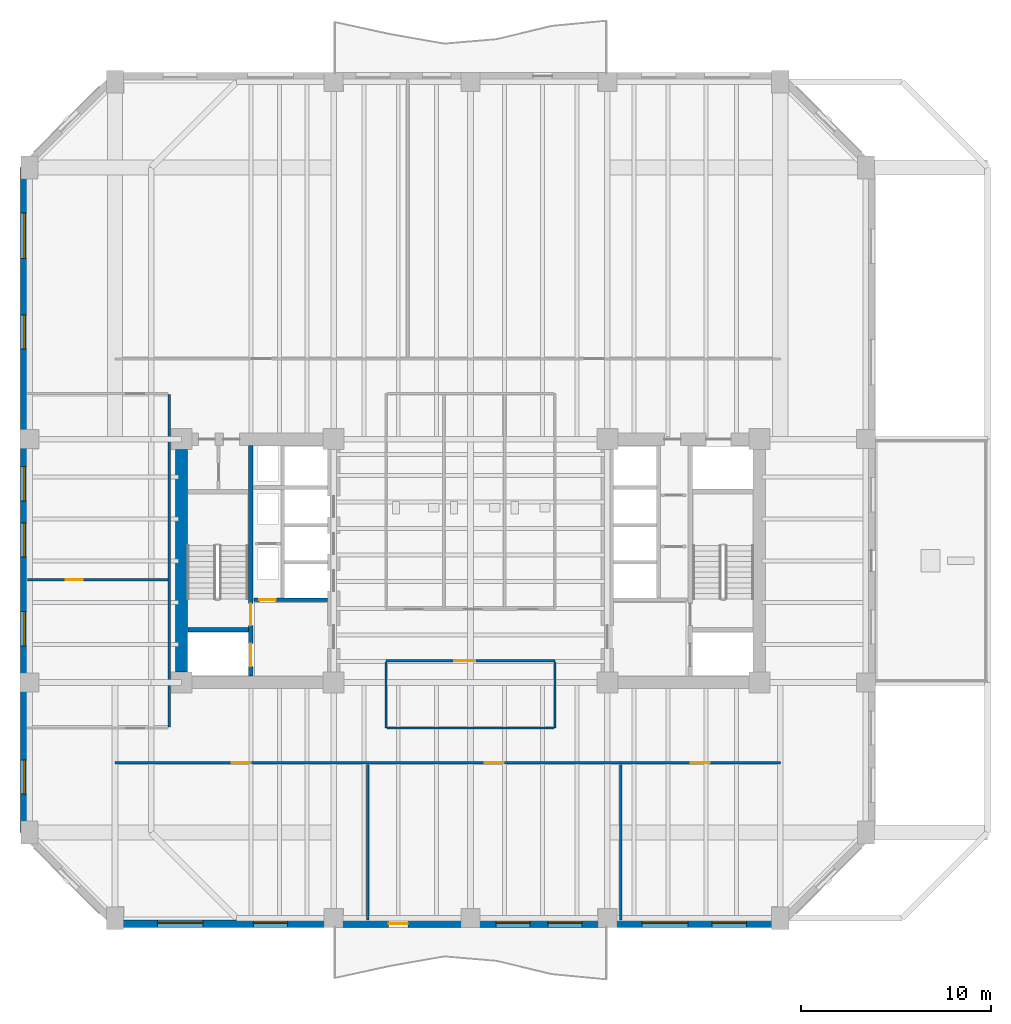
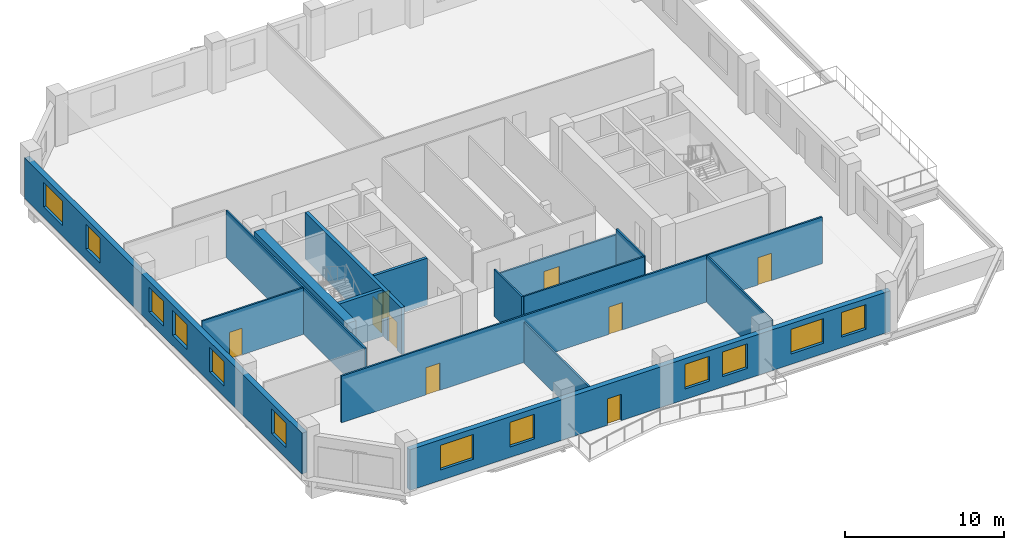
# One storey, part 3 of 11: 15 walls, 12 windows, 9 doors, 21 openings.
"""IFC4 building model written with IfcOpenShell, lengths in metres."""

from ifc_helpers import new_model, si_unit, direction, frame, frame_2d, origin, place, context, subcontext, project, spatial, rectangle, extrude, material, layer, layer_set, type_object, element, fill, save


model = new_model("IFC4")

# Units and contexts
model_context = context("Model", 3, precision=1e-05, world=origin(), true_north=direction((0.0, 1.0)))
body_context = subcontext(model_context, "Body", "Model", "MODEL_VIEW")
ifc_project = project(units=[si_unit("LENGTHUNIT", "METRE"), si_unit("AREAUNIT", "SQUARE_METRE"), si_unit("VOLUMEUNIT", "CUBIC_METRE"), si_unit("PLANEANGLEUNIT", "RADIAN"), si_unit("MASSUNIT", "GRAM", prefix="KILO")], contexts=[model_context])

# Site, building, storey
site_placement = place(None, origin())
site = spatial("IfcSite", under=ifc_project, at=site_placement, CompositionType="ELEMENT")
building_placement = place(site_placement, origin())
building = spatial("IfcBuilding", under=site, at=building_placement, Name="Kranthara Brick Stack", CompositionType="ELEMENT")
storey_placement = place(building_placement, frame((0.0, 0.0, 94.5)))
storey = spatial("IfcBuildingStorey", under=building, at=storey_placement, Name="L23", CompositionType="ELEMENT", Elevation=94.5)

# Wall, openings, door, windows
ifc_material_1 = material(Name="Kiln-fired clay brick masonry M15", Category="masonry")
ifc_layer_1 = layer(ifc_material_1, 0.3798828125)
ifc_layer_set_1 = layer_set([ifc_layer_1], Name="Kiln-fired clay brick masonry M15")
wall_type_1 = type_object("IfcWallType", Name="WL-BRK-PIER-380", PredefinedType="STANDARD", material=ifc_layer_set_1)
wall_1_placement = place(storey_placement, frame((44.300048828125, 8.110107421875, 0.0), z_axis=(0.0, 0.0, 1.0), x_axis=(-1.0, 0.0, 0.0)))
wall_1 = element("IfcWall", 1, at=wall_1_placement, inside=storey, type_object=wall_type_1, Name="L23 Exterior Brick Facade Wall SOUTH 1", PredefinedType="STANDARD", context=body_context, shape_type="SweptSolid", body=[
    extrude(rectangle(XDim=35.0, YDim=0.3798828125, at=frame_2d((17.5, 0.0))), origin(), (0.0, 0.0, 1.0), 3.135009765625),
])
opening_1_placement = place(wall_1_placement, frame((19.60009765625, 0.0, 0.0)))
opening_1 = element("IfcOpeningElement", 2, at=opening_1_placement, cuts=wall_1, Name="Opening D03", PredefinedType="OPENING", context=body_context, shape_type="SweptSolid", body=[
    extrude(rectangle(XDim=1.0, YDim=2.02001953125, at=frame_2d((0.5, 1.010009765625))), frame((0.0, 0.199951171875, 0.0), z_axis=(0.0, -1.0, 0.0), x_axis=(1.0, 0.0, 0.0)), (0.0, 0.0, 1.0), 0.39990234375),
])
opening_2_placement = place(wall_1_placement, frame((1.782958984375, 0.0, 0.800048828125)))
opening_2 = element("IfcOpeningElement", 3, at=opening_2_placement, cuts=wall_1, Name="Opening WN01", PredefinedType="OPENING", context=body_context, shape_type="SweptSolid", body=[
    extrude(rectangle(XDim=1.800048828125, YDim=1.89990234375, at=frame_2d((0.89990234375, 0.949951171875))), frame((0.0, 0.199951171875, 0.0), z_axis=(0.0, -1.0, 0.0), x_axis=(1.0, 0.0, 0.0)), (0.0, 0.0, 1.0), 0.39990234375),
])
opening_3_placement = place(wall_1_placement, frame((4.866943359375, 0.0, 0.800048828125)))
opening_3 = element("IfcOpeningElement", 4, at=opening_3_placement, cuts=wall_1, Name="Opening WN02", PredefinedType="OPENING", context=body_context, shape_type="SweptSolid", body=[
    extrude(rectangle(XDim=2.39990234375, YDim=1.89990234375, at=frame_2d((1.199951171875, 0.949951171875))), frame((0.0, 0.199951171875, 0.0), z_axis=(0.0, -1.0, 0.0), x_axis=(1.0, 0.0, 0.0)), (0.0, 0.0, 1.0), 0.39990234375),
])
opening_4_placement = place(wall_1_placement, frame((10.431884765625, 0.0, 0.800048828125)))
opening_4 = element("IfcOpeningElement", 5, at=opening_4_placement, cuts=wall_1, Name="Opening WN01", PredefinedType="OPENING", context=body_context, shape_type="SweptSolid", body=[
    extrude(rectangle(XDim=1.800048828125, YDim=1.89990234375, at=frame_2d((0.89990234375, 0.949951171875))), frame((0.0, 0.199951171875, 0.0), z_axis=(0.0, -1.0, 0.0), x_axis=(1.0, 0.0, 0.0)), (0.0, 0.0, 1.0), 0.39990234375),
])
opening_5_placement = place(wall_1_placement, frame((13.16796875, 0.0, 0.800048828125)))
opening_5 = element("IfcOpeningElement", 6, at=opening_5_placement, cuts=wall_1, Name="Opening WN01", PredefinedType="OPENING", context=body_context, shape_type="SweptSolid", body=[
    extrude(rectangle(XDim=1.800048828125, YDim=1.89990234375, at=frame_2d((0.89990234375, 0.949951171875))), frame((0.0, 0.199951171875, 0.0), z_axis=(0.0, -1.0, 0.0), x_axis=(1.0, 0.0, 0.0)), (0.0, 0.0, 1.0), 0.39990234375),
])
opening_6_placement = place(wall_1_placement, frame((25.924072265625, 0.0, 0.800048828125)))
opening_6 = element("IfcOpeningElement", 7, at=opening_6_placement, cuts=wall_1, Name="Opening WN01", PredefinedType="OPENING", context=body_context, shape_type="SweptSolid", body=[
    extrude(rectangle(XDim=1.800048828125, YDim=1.89990234375, at=frame_2d((0.89990234375, 0.949951171875))), frame((0.0, 0.199951171875, 0.0), z_axis=(0.0, -1.0, 0.0), x_axis=(1.0, 0.0, 0.0)), (0.0, 0.0, 1.0), 0.39990234375),
])
opening_7_placement = place(wall_1_placement, frame((30.3759765625, 0.0, 0.800048828125)))
opening_7 = element("IfcOpeningElement", 8, at=opening_7_placement, cuts=wall_1, Name="Opening WN02", PredefinedType="OPENING", context=body_context, shape_type="SweptSolid", body=[
    extrude(rectangle(XDim=2.39990234375, YDim=1.89990234375, at=frame_2d((1.199951171875, 0.949951171875))), frame((0.0, 0.199951171875, 0.0), z_axis=(0.0, -1.0, 0.0), x_axis=(1.0, 0.0, 0.0)), (0.0, 0.0, 1.0), 0.39990234375),
])
ifc_material_2 = material(Name="Bronze anodised aluminium and laminated glass", Category="aluminium")
door_type_1 = type_object("IfcDoorType", Name="DR-BALC-1000", OperationType="NOTDEFINED", PredefinedType="DOOR", material=ifc_material_2)
door_1_placement = place(opening_1_placement, origin())
door_1 = element("IfcDoor", 9, at=door_1_placement, inside=storey, type_object=door_type_1, Name="L23 South Balcony Terrace Door", OperationType="SINGLE_SWING_LEFT", OverallHeight=2.02001953125, OverallWidth=1.0, PredefinedType="DOOR", context=body_context, shape_type="SweptSolid", body=[
    extrude(rectangle(XDim=1.0, YDim=2.02001953125, at=frame_2d((0.5, 1.010009765625))), frame((0.0, 0.02490234375, 0.0), z_axis=(0.0, -1.0, 0.0), x_axis=(1.0, 0.0, 0.0)), (0.0, 0.0, 1.0), 0.050048828125),
])
fill(opening_1, door_1)
ifc_material_3 = material(Name="Double-glazed low-E solar control glass", Category="glass")
window_type_1 = type_object("IfcWindowType", Name="WN-OFF-1800x2000", PartitioningType="SINGLE_PANEL", PredefinedType="WINDOW", material=ifc_material_3)
window_1_placement = place(opening_2_placement, origin())
window_1 = element("IfcWindow", 10, at=window_1_placement, inside=storey, type_object=window_type_1, Name="L23 South Deep-Set Brick Window 01", OverallHeight=1.89990234375, OverallWidth=1.800048828125, PartitioningType="SINGLE_PANEL", PredefinedType="WINDOW", context=body_context, shape_type="SweptSolid", body=[
    extrude(rectangle(XDim=1.800048828125, YDim=1.89990234375, at=frame_2d((0.89990234375, 0.949951171875))), frame((0.0, -0.010009765625, 0.0), z_axis=(0.0, -1.0, 0.0), x_axis=(1.0, 0.0, 0.0)), (0.0, 0.0, 1.0), 0.06005859375),
])
fill(opening_2, window_1)
window_2_placement = place(opening_4_placement, origin())
window_2 = element("IfcWindow", 11, at=window_2_placement, inside=storey, type_object=window_type_1, Name="L23 South Deep-Set Brick Window 03", OverallHeight=1.89990234375, OverallWidth=1.800048828125, PartitioningType="SINGLE_PANEL", PredefinedType="WINDOW", context=body_context, shape_type="SweptSolid", body=[
    extrude(rectangle(XDim=1.800048828125, YDim=1.89990234375, at=frame_2d((0.89990234375, 0.949951171875))), frame((0.0, -0.010009765625, 0.0), z_axis=(0.0, -1.0, 0.0), x_axis=(1.0, 0.0, 0.0)), (0.0, 0.0, 1.0), 0.06005859375),
])
fill(opening_4, window_2)
window_3_placement = place(opening_5_placement, origin())
window_3 = element("IfcWindow", 12, at=window_3_placement, inside=storey, type_object=window_type_1, Name="L23 South Deep-Set Brick Window 04", OverallHeight=1.89990234375, OverallWidth=1.800048828125, PartitioningType="SINGLE_PANEL", PredefinedType="WINDOW", context=body_context, shape_type="SweptSolid", body=[
    extrude(rectangle(XDim=1.800048828125, YDim=1.89990234375, at=frame_2d((0.89990234375, 0.949951171875))), frame((0.0, -0.010009765625, 0.0), z_axis=(0.0, -1.0, 0.0), x_axis=(1.0, 0.0, 0.0)), (0.0, 0.0, 1.0), 0.06005859375),
])
fill(opening_5, window_3)
window_4_placement = place(opening_6_placement, origin())
window_4 = element("IfcWindow", 13, at=window_4_placement, inside=storey, type_object=window_type_1, Name="L23 South Deep-Set Brick Window 05", OverallHeight=1.89990234375, OverallWidth=1.800048828125, PartitioningType="SINGLE_PANEL", PredefinedType="WINDOW", context=body_context, shape_type="SweptSolid", body=[
    extrude(rectangle(XDim=1.800048828125, YDim=1.89990234375, at=frame_2d((0.89990234375, 0.949951171875))), frame((0.0, -0.010009765625, 0.0), z_axis=(0.0, -1.0, 0.0), x_axis=(1.0, 0.0, 0.0)), (0.0, 0.0, 1.0), 0.06005859375),
])
fill(opening_6, window_4)
ifc_material_4 = material(Name="Double-glazed low-E solar control glass", Category="glass")
window_type_2 = type_object("IfcWindowType", Name="WN-OFF-2400x2000", PartitioningType="DOUBLE_PANEL_VERTICAL", PredefinedType="WINDOW", material=ifc_material_4)
window_5_placement = place(opening_3_placement, origin())
window_5 = element("IfcWindow", 14, at=window_5_placement, inside=storey, type_object=window_type_2, Name="L23 South Deep-Set Brick Window 02", OverallHeight=1.89990234375, OverallWidth=2.39990234375, PartitioningType="SINGLE_PANEL", PredefinedType="WINDOW", context=body_context, shape_type="SweptSolid", body=[
    extrude(rectangle(XDim=2.39990234375, YDim=1.89990234375, at=frame_2d((1.199951171875, 0.949951171875))), frame((0.0, -0.010009765625, 0.0), z_axis=(0.0, -1.0, 0.0), x_axis=(1.0, 0.0, 0.0)), (0.0, 0.0, 1.0), 0.06005859375),
])
fill(opening_3, window_5)
window_6_placement = place(opening_7_placement, origin())
window_6 = element("IfcWindow", 15, at=window_6_placement, inside=storey, type_object=window_type_2, Name="L23 South Deep-Set Brick Window 06", OverallHeight=1.89990234375, OverallWidth=2.39990234375, PartitioningType="SINGLE_PANEL", PredefinedType="WINDOW", context=body_context, shape_type="SweptSolid", body=[
    extrude(rectangle(XDim=2.39990234375, YDim=1.89990234375, at=frame_2d((1.199951171875, 0.949951171875))), frame((0.0, -0.010009765625, 0.0), z_axis=(0.0, -1.0, 0.0), x_axis=(1.0, 0.0, 0.0)), (0.0, 0.0, 1.0), 0.06005859375),
])
fill(opening_7, window_6)

# Wall, openings, windows
wall_2_placement = place(storey_placement, frame((4.510009765625, 12.89990234375, 0.0), z_axis=(0.0, 0.0, 1.0), x_axis=(0.0, 1.0, 0.0)))
wall_2 = element("IfcWall", 16, at=wall_2_placement, inside=storey, type_object=wall_type_1, Name="L23 Exterior Brick Facade Wall WEST 1", PredefinedType="STANDARD", context=body_context, shape_type="SweptSolid", body=[
    extrude(rectangle(XDim=35.0, YDim=0.3798828125, at=frame_2d((17.5, 0.0))), origin(), (0.0, 0.0, 1.0), 3.135009765625),
])
opening_8_placement = place(wall_2_placement, frame((2.02490234375, 0.0, 0.800048828125)))
opening_8 = element("IfcOpeningElement", 17, at=opening_8_placement, cuts=wall_2, Name="Opening WN01", PredefinedType="OPENING", context=body_context, shape_type="SweptSolid", body=[
    extrude(rectangle(XDim=1.800048828125, YDim=1.89990234375, at=frame_2d((0.89990234375, 0.949951171875))), frame((0.0, 0.199951171875, 0.0), z_axis=(0.0, -1.0, 0.0), x_axis=(1.0, 0.0, 0.0)), (0.0, 0.0, 1.0), 0.39990234375),
])
opening_9_placement = place(wall_2_placement, frame((9.824951171875, 0.0, 0.800048828125)))
opening_9 = element("IfcOpeningElement", 18, at=opening_9_placement, cuts=wall_2, Name="Opening WN01", PredefinedType="OPENING", context=body_context, shape_type="SweptSolid", body=[
    extrude(rectangle(XDim=1.800048828125, YDim=1.89990234375, at=frame_2d((0.89990234375, 0.949951171875))), frame((0.0, 0.199951171875, 0.0), z_axis=(0.0, -1.0, 0.0), x_axis=(1.0, 0.0, 0.0)), (0.0, 0.0, 1.0), 0.39990234375),
])
opening_10_placement = place(wall_2_placement, frame((14.4990234375, 0.0, 0.800048828125)))
opening_10 = element("IfcOpeningElement", 19, at=opening_10_placement, cuts=wall_2, Name="Opening WN01", PredefinedType="OPENING", context=body_context, shape_type="SweptSolid", body=[
    extrude(rectangle(XDim=1.800048828125, YDim=1.89990234375, at=frame_2d((0.89990234375, 0.949951171875))), frame((0.0, 0.199951171875, 0.0), z_axis=(0.0, -1.0, 0.0), x_axis=(1.0, 0.0, 0.0)), (0.0, 0.0, 1.0), 0.39990234375),
])
opening_11_placement = place(wall_2_placement, frame((17.450927734375, 0.0, 0.800048828125)))
opening_11 = element("IfcOpeningElement", 20, at=opening_11_placement, cuts=wall_2, Name="Opening WN01", PredefinedType="OPENING", context=body_context, shape_type="SweptSolid", body=[
    extrude(rectangle(XDim=1.800048828125, YDim=1.89990234375, at=frame_2d((0.89990234375, 0.949951171875))), frame((0.0, 0.199951171875, 0.0), z_axis=(0.0, -1.0, 0.0), x_axis=(1.0, 0.0, 0.0)), (0.0, 0.0, 1.0), 0.39990234375),
])
opening_12_placement = place(wall_2_placement, frame((25.443115234375, 0.0, 0.800048828125)))
opening_12 = element("IfcOpeningElement", 21, at=opening_12_placement, cuts=wall_2, Name="Opening WN01", PredefinedType="OPENING", context=body_context, shape_type="SweptSolid", body=[
    extrude(rectangle(XDim=1.800048828125, YDim=1.89990234375, at=frame_2d((0.89990234375, 0.949951171875))), frame((0.0, 0.199951171875, 0.0), z_axis=(0.0, -1.0, 0.0), x_axis=(1.0, 0.0, 0.0)), (0.0, 0.0, 1.0), 0.39990234375),
])
opening_13_placement = place(wall_2_placement, frame((30.20703125, 0.0, 0.800048828125)))
opening_13 = element("IfcOpeningElement", 22, at=opening_13_placement, cuts=wall_2, Name="Opening WN02", PredefinedType="OPENING", context=body_context, shape_type="SweptSolid", body=[
    extrude(rectangle(XDim=2.39990234375, YDim=1.89990234375, at=frame_2d((1.199951171875, 0.949951171875))), frame((0.0, 0.199951171875, 0.0), z_axis=(0.0, -1.0, 0.0), x_axis=(1.0, 0.0, 0.0)), (0.0, 0.0, 1.0), 0.39990234375),
])
window_7_placement = place(opening_8_placement, origin())
window_7 = element("IfcWindow", 23, at=window_7_placement, inside=storey, type_object=window_type_1, Name="L23 West Deep-Set Brick Window 01", OverallHeight=1.89990234375, OverallWidth=1.800048828125, PartitioningType="SINGLE_PANEL", PredefinedType="WINDOW", context=body_context, shape_type="SweptSolid", body=[
    extrude(rectangle(XDim=1.800048828125, YDim=1.89990234375, at=frame_2d((0.89990234375, 0.949951171875))), frame((0.0, -0.010009765625, 0.0), z_axis=(0.0, -1.0, 0.0), x_axis=(1.0, 0.0, 0.0)), (0.0, 0.0, 1.0), 0.06005859375),
])
fill(opening_8, window_7)
window_8_placement = place(opening_9_placement, origin())
window_8 = element("IfcWindow", 24, at=window_8_placement, inside=storey, type_object=window_type_1, Name="L23 West Deep-Set Brick Window 02", OverallHeight=1.89990234375, OverallWidth=1.800048828125, PartitioningType="SINGLE_PANEL", PredefinedType="WINDOW", context=body_context, shape_type="SweptSolid", body=[
    extrude(rectangle(XDim=1.800048828125, YDim=1.89990234375, at=frame_2d((0.89990234375, 0.949951171875))), frame((0.0, -0.010009765625, 0.0), z_axis=(0.0, -1.0, 0.0), x_axis=(1.0, 0.0, 0.0)), (0.0, 0.0, 1.0), 0.06005859375),
])
fill(opening_9, window_8)
window_9_placement = place(opening_10_placement, origin())
window_9 = element("IfcWindow", 25, at=window_9_placement, inside=storey, type_object=window_type_1, Name="L23 West Deep-Set Brick Window 03", OverallHeight=1.89990234375, OverallWidth=1.800048828125, PartitioningType="SINGLE_PANEL", PredefinedType="WINDOW", context=body_context, shape_type="SweptSolid", body=[
    extrude(rectangle(XDim=1.800048828125, YDim=1.89990234375, at=frame_2d((0.89990234375, 0.949951171875))), frame((0.0, -0.010009765625, 0.0), z_axis=(0.0, -1.0, 0.0), x_axis=(1.0, 0.0, 0.0)), (0.0, 0.0, 1.0), 0.06005859375),
])
fill(opening_10, window_9)
window_10_placement = place(opening_11_placement, origin())
window_10 = element("IfcWindow", 26, at=window_10_placement, inside=storey, type_object=window_type_1, Name="L23 West Deep-Set Brick Window 04", OverallHeight=1.89990234375, OverallWidth=1.800048828125, PartitioningType="SINGLE_PANEL", PredefinedType="WINDOW", context=body_context, shape_type="SweptSolid", body=[
    extrude(rectangle(XDim=1.800048828125, YDim=1.89990234375, at=frame_2d((0.89990234375, 0.949951171875))), frame((0.0, -0.010009765625, 0.0), z_axis=(0.0, -1.0, 0.0), x_axis=(1.0, 0.0, 0.0)), (0.0, 0.0, 1.0), 0.06005859375),
])
fill(opening_11, window_10)
window_11_placement = place(opening_12_placement, origin())
window_11 = element("IfcWindow", 27, at=window_11_placement, inside=storey, type_object=window_type_1, Name="L23 West Deep-Set Brick Window 05", OverallHeight=1.89990234375, OverallWidth=1.800048828125, PartitioningType="SINGLE_PANEL", PredefinedType="WINDOW", context=body_context, shape_type="SweptSolid", body=[
    extrude(rectangle(XDim=1.800048828125, YDim=1.89990234375, at=frame_2d((0.89990234375, 0.949951171875))), frame((0.0, -0.010009765625, 0.0), z_axis=(0.0, -1.0, 0.0), x_axis=(1.0, 0.0, 0.0)), (0.0, 0.0, 1.0), 0.06005859375),
])
fill(opening_12, window_11)
window_12_placement = place(opening_13_placement, origin())
window_12 = element("IfcWindow", 28, at=window_12_placement, inside=storey, type_object=window_type_2, Name="L23 West Deep-Set Brick Window 06", OverallHeight=1.89990234375, OverallWidth=2.39990234375, PartitioningType="SINGLE_PANEL", PredefinedType="WINDOW", context=body_context, shape_type="SweptSolid", body=[
    extrude(rectangle(XDim=2.39990234375, YDim=1.89990234375, at=frame_2d((1.199951171875, 0.949951171875))), frame((0.0, -0.010009765625, 0.0), z_axis=(0.0, -1.0, 0.0), x_axis=(1.0, 0.0, 0.0)), (0.0, 0.0, 1.0), 0.06005859375),
])
fill(opening_13, window_12)

# Wall, openings, doors
ifc_material_5 = material(Name="Concrete C50/60", Category="concrete")
ifc_layer_2 = layer(ifc_material_5, 0.25)
ifc_layer_set_2 = layer_set([ifc_layer_2], Name="Concrete C50/60")
wall_type_2 = type_object("IfcWallType", Name="WL-CORE-250", PredefinedType="SHEAR", material=ifc_layer_set_2)
wall_3_placement = place(storey_placement, frame((16.43505859375, 21.135009765625, 0.0), z_axis=(0.0, 0.0, 1.0), x_axis=(0.0, 1.0, 0.0)))
wall_3 = element("IfcWall", 29, at=wall_3_placement, inside=storey, type_object=wall_type_2, Name="L23 West Core Stair Bearing Spine Wall", PredefinedType="SHEAR", context=body_context, shape_type="SweptSolid", body=[
    extrude(rectangle(XDim=12.1298828125, YDim=0.25, at=frame_2d((6.06494140625, 0.0))), origin(), (0.0, 0.0, 1.0), 3.60009765625),
])
opening_14_placement = place(wall_3_placement, frame((0.514892578125, 0.0, 0.0)))
opening_14 = element("IfcOpeningElement", 30, at=opening_14_placement, cuts=wall_3, Name="Opening LD01", PredefinedType="OPENING", context=body_context, shape_type="SweptSolid", body=[
    extrude(rectangle(XDim=1.199951171875, YDim=2.14990234375, at=frame_2d((0.60009765625, 1.074951171875))), frame((0.0, 0.135009765625, 0.0), z_axis=(0.0, -1.0, 0.0), x_axis=(1.0, 0.0, 0.0)), (0.0, 0.0, 1.0), 0.27001953125),
])
opening_15_placement = place(wall_3_placement, frame((2.6650390625, 0.0, 0.0)))
opening_15 = element("IfcOpeningElement", 31, at=opening_15_placement, cuts=wall_3, Name="Opening D05", PredefinedType="OPENING", context=body_context, shape_type="SweptSolid", body=[
    extrude(rectangle(XDim=1.14990234375, YDim=2.14990234375, at=frame_2d((0.574951171875, 1.074951171875))), frame((0.0, 0.135009765625, 0.0), z_axis=(0.0, -1.0, 0.0), x_axis=(1.0, 0.0, 0.0)), (0.0, 0.0, 1.0), 0.27001953125),
])
ifc_material_6 = material(Name="Stainless steel sliding landing door", Category="steel")
door_type_2 = type_object("IfcDoorType", Name="DR-LD-FF1200", OperationType="DOUBLE_DOOR_SLIDING", PredefinedType="DOOR", material=ifc_material_6)
door_2_placement = place(opening_14_placement, origin())
door_2 = element("IfcDoor", 32, at=door_2_placement, inside=storey, type_object=door_type_2, Name="L23 Firefighting Lift FF-01 Landing Door", OperationType="DOUBLE_DOOR_SLIDING", OverallHeight=2.14990234375, OverallWidth=1.199951171875, PredefinedType="DOOR", context=body_context, shape_type="SweptSolid", body=[
    extrude(rectangle(XDim=1.199951171875, YDim=2.14990234375, at=frame_2d((0.60009765625, 1.074951171875))), frame((0.0, 0.02490234375, 0.0), z_axis=(0.0, -1.0, 0.0), x_axis=(1.0, 0.0, 0.0)), (0.0, 0.0, 1.0), 0.050048828125),
])
fill(opening_14, door_2)
ifc_material_7 = material(Name="Solid-core hardwood timber leaf in steel frame", Category="steel")
door_type_3 = type_object("IfcDoorType", Name="DR-ST-1150", OperationType="NOTDEFINED", PredefinedType="DOOR", material=ifc_material_7)
door_3_placement = place(opening_15_placement, origin())
door_3 = element("IfcDoor", 33, at=door_3_placement, inside=storey, type_object=door_type_3, Name="L23 Exit Stair ST01 Door", OperationType="SINGLE_SWING_RIGHT", OverallHeight=2.14990234375, OverallWidth=1.14990234375, PredefinedType="DOOR", context=body_context, shape_type="SweptSolid", body=[
    extrude(rectangle(XDim=1.14990234375, YDim=2.14990234375, at=frame_2d((0.574951171875, 1.074951171875))), frame((0.0, 0.02490234375, 0.0), z_axis=(0.0, -1.0, 0.0), x_axis=(1.0, 0.0, 0.0)), (0.0, 0.0, 1.0), 0.050048828125),
])
fill(opening_15, door_3)

# Walls
wall_4_placement = place(storey_placement, frame((13.135009765625, 23.570068359375, 0.0), z_axis=(0.0, 0.0, 1.0), x_axis=(1.0, 0.0, 0.0)))
element("IfcWall", 34, at=wall_4_placement, inside=storey, type_object=wall_type_2, Name="L23 West Stairwell Bearing Wall WFF", PredefinedType="SHEAR", context=body_context, shape_type="SweptSolid", body=[
    extrude(rectangle(XDim=3.175048828125, YDim=0.25, at=frame_2d((1.58740234375, 0.0))), origin(), (0.0, 0.0, 1.0), 3.60009765625),
])
ifc_material_8 = material(Name="Concrete C60/75", Category="concrete")
ifc_layer_3 = layer(ifc_material_8, 0.64990234375)
ifc_layer_set_3 = layer_set([ifc_layer_3], Name="Concrete C60/75")
wall_type_3 = type_object("IfcWallType", Name="WL-CORE-650", PredefinedType="SHEAR", material=ifc_layer_set_3)
wall_5_placement = place(storey_placement, frame((12.800048828125, 21.35498046875, 0.0), z_axis=(0.0, 0.0, 1.0), x_axis=(0.0, 1.0, 0.0)))
element("IfcWall", 35, at=wall_5_placement, inside=storey, type_object=wall_type_3, Name="L23 West Core Shear Wall West", PredefinedType="SHEAR", context=body_context, shape_type="SweptSolid", body=[
    extrude(rectangle(XDim=11.68994140625, YDim=0.64990234375, at=frame_2d((5.844970703125, 0.0))), origin(), (0.0, 0.0, 1.0), 3.60009765625),
])

# Wall, opening, door
ifc_material_9 = material(Name="Acoustic gypsum plasterboard partition", Category="other")
ifc_layer_4 = layer(ifc_material_9, 0.1201171875)
ifc_layer_set_4 = layer_set([ifc_layer_4], Name="Acoustic gypsum plasterboard partition")
wall_type_4 = type_object("IfcWallType", Name="WL-PART-120", PredefinedType="PARTITIONING", material=ifc_layer_set_4)
wall_6_placement = place(storey_placement, frame((23.550048828125, 21.949951171875, 0.0), z_axis=(0.0, 0.0, 1.0), x_axis=(1.0, 0.0, 0.0)))
wall_6 = element("IfcWall", 36, at=wall_6_placement, inside=storey, type_object=wall_type_4, Name="L23 Interior Partition 011", PredefinedType="PARTITIONING", context=body_context, shape_type="SweptSolid", body=[
    extrude(rectangle(XDim=8.89990234375, YDim=0.1201171875, at=frame_2d((4.449951171875, 0.0))), origin(), (0.0, 0.0, 1.0), 3.135009765625),
])
opening_16_placement = place(wall_6_placement, frame((3.60009765625, 0.0, 0.0)))
opening_16 = element("IfcOpeningElement", 37, at=opening_16_placement, cuts=wall_6, Name="Opening D11", PredefinedType="OPENING", context=body_context, shape_type="SweptSolid", body=[
    extrude(rectangle(XDim=1.10009765625, YDim=2.14990234375, at=frame_2d((0.550048828125, 1.074951171875))), frame((0.0, 0.070068359375, 0.0), z_axis=(0.0, -1.0, 0.0), x_axis=(1.0, 0.0, 0.0)), (0.0, 0.0, 1.0), 0.14013671875),
])
ifc_material_10 = material(Name="Solid-core hardwood timber leaf in steel frame", Category="steel")
door_type_4 = type_object("IfcDoorType", Name="DR-INT-1100", OperationType="NOTDEFINED", PredefinedType="DOOR", material=ifc_material_10)
door_4_placement = place(opening_16_placement, origin())
door_4 = element("IfcDoor", 38, at=door_4_placement, inside=storey, type_object=door_type_4, Name="L23 Internal Briefing Room 08", OperationType="SINGLE_SWING_RIGHT", OverallHeight=2.14990234375, OverallWidth=1.10009765625, PredefinedType="DOOR", context=body_context, shape_type="SweptSolid", body=[
    extrude(rectangle(XDim=1.10009765625, YDim=2.14990234375, at=frame_2d((0.550048828125, 1.074951171875))), frame((0.0, 0.02490234375, 0.0), z_axis=(0.0, -1.0, 0.0), x_axis=(1.0, 0.0, 0.0)), (0.0, 0.0, 1.0), 0.050048828125),
])
fill(opening_16, door_4)

# Walls
for number, where, z_axis, x_axis, name in (
    (39, (23.550048828125, 18.39990234375, 0.0), (0.0, 0.0, 1.0), (0.0, 1.0, 0.0), "L23 Interior Partition 012"),
    (40, (32.449951171875, 18.39990234375, 0.0), (0.0, 0.0, 1.0), (0.0, 1.0, 0.0), "L23 Interior Partition 013"),
):
    element("IfcWall", number, at=place(storey_placement, frame(where, z_axis=z_axis, x_axis=x_axis)), inside=storey, type_object=wall_type_4, Name=name, PredefinedType="PARTITIONING", context=body_context, shape_type="SweptSolid", body=[
        extrude(rectangle(XDim=3.485107421875, YDim=0.1201171875, at=frame_2d((1.74267578125, 0.0))), origin(), (0.0, 0.0, 1.0), 3.60009765625),
    ])
wall_7_placement = place(storey_placement, frame((23.614990234375, 18.39990234375, 0.0), z_axis=(0.0, 0.0, 1.0), x_axis=(1.0, 0.0, 0.0)))
element("IfcWall", 41, at=wall_7_placement, inside=storey, type_object=wall_type_4, Name="L23 Interior Partition 014", PredefinedType="PARTITIONING", context=body_context, shape_type="SweptSolid", body=[
    extrude(rectangle(XDim=8.77001953125, YDim=0.1201171875, at=frame_2d((4.385009765625, 0.0))), origin(), (0.0, 0.0, 1.0), 3.60009765625),
])

# Wall, openings, doors
wall_8_placement = place(storey_placement, frame((9.300048828125, 16.580078125, 0.0), z_axis=(0.0, 0.0, 1.0), x_axis=(1.0, 0.0, 0.0)))
wall_8 = element("IfcWall", 42, at=wall_8_placement, inside=storey, type_object=wall_type_4, Name="L23 Interior Partition 015", PredefinedType="PARTITIONING", context=body_context, shape_type="SweptSolid", body=[
    extrude(rectangle(XDim=35.0, YDim=0.1201171875, at=frame_2d((17.5, 0.0))), origin(), (0.0, 0.0, 1.0), 3.60009765625),
])
opening_17_placement = place(wall_8_placement, frame((6.14990234375, 0.0, 0.0)))
opening_17 = element("IfcOpeningElement", 43, at=opening_17_placement, cuts=wall_8, Name="Opening D13", PredefinedType="OPENING", context=body_context, shape_type="SweptSolid", body=[
    extrude(rectangle(XDim=1.0, YDim=2.10009765625, at=frame_2d((0.5, 1.050048828125))), frame((0.0, 0.070068359375, 0.0), z_axis=(0.0, -1.0, 0.0), x_axis=(1.0, 0.0, 0.0)), (0.0, 0.0, 1.0), 0.14013671875),
])
opening_18_placement = place(wall_8_placement, frame((19.449951171875, 0.0, 0.0)))
opening_18 = element("IfcOpeningElement", 44, at=opening_18_placement, cuts=wall_8, Name="Opening D13", PredefinedType="OPENING", context=body_context, shape_type="SweptSolid", body=[
    extrude(rectangle(XDim=1.0, YDim=2.10009765625, at=frame_2d((0.5, 1.050048828125))), frame((0.0, 0.070068359375, 0.0), z_axis=(0.0, -1.0, 0.0), x_axis=(1.0, 0.0, 0.0)), (0.0, 0.0, 1.0), 0.14013671875),
])
opening_19_placement = place(wall_8_placement, frame((30.300048828125, 0.0, 0.0)))
opening_19 = element("IfcOpeningElement", 45, at=opening_19_placement, cuts=wall_8, Name="Opening D13", PredefinedType="OPENING", context=body_context, shape_type="SweptSolid", body=[
    extrude(rectangle(XDim=1.0, YDim=2.10009765625, at=frame_2d((0.5, 1.050048828125))), frame((0.0, 0.070068359375, 0.0), z_axis=(0.0, -1.0, 0.0), x_axis=(1.0, 0.0, 0.0)), (0.0, 0.0, 1.0), 0.14013671875),
])
ifc_material_11 = material(Name="Solid-core hardwood timber leaf in steel frame", Category="steel")
door_type_5 = type_object("IfcDoorType", Name="DR-INT-1000", OperationType="NOTDEFINED", PredefinedType="DOOR", material=ifc_material_11)
door_5_placement = place(opening_17_placement, origin())
door_5 = element("IfcDoor", 46, at=door_5_placement, inside=storey, type_object=door_type_5, Name="L23 Open Plan Workspace 09", OperationType="SINGLE_SWING_LEFT", OverallHeight=2.10009765625, OverallWidth=1.0, PredefinedType="DOOR", context=body_context, shape_type="SweptSolid", body=[
    extrude(rectangle(XDim=1.0, YDim=2.10009765625, at=frame_2d((0.5, 1.050048828125))), frame((0.0, 0.02490234375, 0.0), z_axis=(0.0, -1.0, 0.0), x_axis=(1.0, 0.0, 0.0)), (0.0, 0.0, 1.0), 0.050048828125),
])
fill(opening_17, door_5)
door_6_placement = place(opening_18_placement, origin())
door_6 = element("IfcDoor", 47, at=door_6_placement, inside=storey, type_object=door_type_5, Name="L23 Collaboration Lounge 10", OperationType="SINGLE_SWING_RIGHT", OverallHeight=2.10009765625, OverallWidth=1.0, PredefinedType="DOOR", context=body_context, shape_type="SweptSolid", body=[
    extrude(rectangle(XDim=1.0, YDim=2.10009765625, at=frame_2d((0.5, 1.050048828125))), frame((0.0, 0.02490234375, 0.0), z_axis=(0.0, -1.0, 0.0), x_axis=(1.0, 0.0, 0.0)), (0.0, 0.0, 1.0), 0.050048828125),
])
fill(opening_18, door_6)
door_7_placement = place(opening_19_placement, origin())
door_7 = element("IfcDoor", 48, at=door_7_placement, inside=storey, type_object=door_type_5, Name="L23 Boardroom 11", OperationType="SINGLE_SWING_LEFT", OverallHeight=2.10009765625, OverallWidth=1.0, PredefinedType="DOOR", context=body_context, shape_type="SweptSolid", body=[
    extrude(rectangle(XDim=1.0, YDim=2.10009765625, at=frame_2d((0.5, 1.050048828125))), frame((0.0, 0.02490234375, 0.0), z_axis=(0.0, -1.0, 0.0), x_axis=(1.0, 0.0, 0.0)), (0.0, 0.0, 1.0), 0.050048828125),
])
fill(opening_19, door_7)

# Walls
wall_9_placement = place(storey_placement, frame((22.60009765625, 8.304931640625, 0.0), z_axis=(0.0, 0.0, 1.0), x_axis=(0.0, 1.0, 0.0)))
element("IfcWall", 49, at=wall_9_placement, inside=storey, type_object=wall_type_4, Name="L23 Interior Partition 016", PredefinedType="PARTITIONING", context=body_context, shape_type="SweptSolid", body=[
    extrude(rectangle(XDim=8.175048828125, YDim=0.1201171875, at=frame_2d((4.08740234375, 0.0))), origin(), (0.0, 0.0, 1.0), 3.135009765625),
])
wall_10_placement = place(storey_placement, frame((35.89990234375, 8.304931640625, 0.0), z_axis=(0.0, 0.0, 1.0), x_axis=(0.0, 1.0, 0.0)))
element("IfcWall", 50, at=wall_10_placement, inside=storey, type_object=wall_type_4, Name="L23 Interior Partition 017", PredefinedType="PARTITIONING", context=body_context, shape_type="SweptSolid", body=[
    extrude(rectangle(XDim=8.175048828125, YDim=0.1201171875, at=frame_2d((4.08740234375, 0.0))), origin(), (0.0, 0.0, 1.0), 3.60009765625),
])
wall_11_placement = place(storey_placement, frame((12.14990234375, 18.449951171875, 0.0), z_axis=(0.0, 0.0, 1.0), x_axis=(0.0, 1.0, 0.0)))
element("IfcWall", 51, at=wall_11_placement, inside=storey, type_object=wall_type_4, Name="L23 Interior Partition 020", PredefinedType="PARTITIONING", context=body_context, shape_type="SweptSolid", body=[
    extrude(rectangle(XDim=17.5, YDim=0.1201171875, at=frame_2d((8.75, 0.0))), origin(), (0.0, 0.0, 1.0), 3.60009765625),
])

# Wall, opening, door
wall_12_placement = place(storey_placement, frame((4.705078125, 26.199951171875, 0.0), z_axis=(0.0, 0.0, 1.0), x_axis=(1.0, 0.0, 0.0)))
wall_12 = element("IfcWall", 52, at=wall_12_placement, inside=storey, type_object=wall_type_4, Name="L23 Interior Partition 023", PredefinedType="PARTITIONING", context=body_context, shape_type="SweptSolid", body=[
    extrude(rectangle(XDim=7.3798828125, YDim=0.1201171875, at=frame_2d((3.68994140625, 0.0))), origin(), (0.0, 0.0, 1.0), 3.60009765625),
])
opening_20_placement = place(wall_12_placement, frame((2.0, 0.0, 0.0)))
opening_20 = element("IfcOpeningElement", 53, at=opening_20_placement, cuts=wall_12, Name="Opening D15", PredefinedType="OPENING", context=body_context, shape_type="SweptSolid", body=[
    extrude(rectangle(XDim=0.89990234375, YDim=2.050048828125, at=frame_2d((0.449951171875, 1.02490234375))), frame((0.0, 0.070068359375, 0.0), z_axis=(0.0, -1.0, 0.0), x_axis=(1.0, 0.0, 0.0)), (0.0, 0.0, 1.0), 0.14013671875),
])
ifc_material_12 = material(Name="Solid-core hardwood timber leaf in steel frame", Category="steel")
door_type_6 = type_object("IfcDoorType", Name="DR-INT-900", OperationType="NOTDEFINED", PredefinedType="DOOR", material=ifc_material_12)
door_8_placement = place(opening_20_placement, origin())
door_8 = element("IfcDoor", 54, at=door_8_placement, inside=storey, type_object=door_type_6, Name="L23 West Inner Suite Door 14", OperationType="SINGLE_SWING_RIGHT", OverallHeight=2.050048828125, OverallWidth=0.89990234375, PredefinedType="DOOR", context=body_context, shape_type="SweptSolid", body=[
    extrude(rectangle(XDim=0.89990234375, YDim=2.050048828125, at=frame_2d((0.449951171875, 1.02490234375))), frame((0.0, 0.02490234375, 0.0), z_axis=(0.0, -1.0, 0.0), x_axis=(1.0, 0.0, 0.0)), (0.0, 0.0, 1.0), 0.050048828125),
])
fill(opening_20, door_8)

ifc_material_13 = material(Name="Concrete C40/50", Category="concrete")
ifc_layer_5 = layer(ifc_material_13, 0.199951171875)
ifc_layer_set_5 = layer_set([ifc_layer_5], Name="Concrete C40/50")
wall_type_5 = type_object("IfcWallType", Name="WL-PART-200", PredefinedType="SOLIDWALL", material=ifc_layer_set_5)
wall_13_placement = place(storey_placement, frame((16.60009765625, 25.14990234375, 0.0), z_axis=(0.0, 0.0, 1.0), x_axis=(1.0, 0.0, 0.0)))
wall_13 = element("IfcWall", 55, at=wall_13_placement, inside=storey, type_object=wall_type_5, Name="L23 West Core Cross Wall WFL", PredefinedType="SOLIDWALL", context=body_context, shape_type="SweptSolid", body=[
    extrude(rectangle(XDim=3.864990234375, YDim=0.199951171875, at=frame_2d((1.9326171875, 0.0))), origin(), (0.0, 0.0, 1.0), 3.60009765625),
])
opening_21_placement = place(wall_13_placement, frame((0.300048828125, 0.0, 0.0)))
opening_21 = element("IfcOpeningElement", 56, at=opening_21_placement, cuts=wall_13, Name="Opening D10", PredefinedType="OPENING", context=body_context, shape_type="SweptSolid", body=[
    extrude(rectangle(XDim=0.85009765625, YDim=2.02001953125, at=frame_2d((0.425048828125, 1.010009765625))), frame((0.0, 0.10986328125, 0.0), z_axis=(0.0, -1.0, 0.0), x_axis=(1.0, 0.0, 0.0)), (0.0, 0.0, 1.0), 0.219970703125),
])
ifc_material_14 = material(Name="Solid-core hardwood timber leaf in steel frame", Category="steel")
door_type_7 = type_object("IfcDoorType", Name="DR-RSR-850", OperationType="NOTDEFINED", PredefinedType="DOOR", material=ifc_material_14)
door_9_placement = place(opening_21_placement, origin())
door_9 = element("IfcDoor", 57, at=door_9_placement, inside=storey, type_object=door_type_7, Name="L23 Mechanical Riser Access Door", OperationType="SINGLE_SWING_LEFT", OverallHeight=2.02001953125, OverallWidth=0.85009765625, PredefinedType="DOOR", context=body_context, shape_type="SweptSolid", body=[
    extrude(rectangle(XDim=0.85009765625, YDim=2.02001953125, at=frame_2d((0.425048828125, 1.010009765625))), frame((0.0, 0.02490234375, 0.0), z_axis=(0.0, -1.0, 0.0), x_axis=(1.0, 0.0, 0.0)), (0.0, 0.0, 1.0), 0.050048828125),
])
fill(opening_21, door_9)

save(model, "model.ifc")
